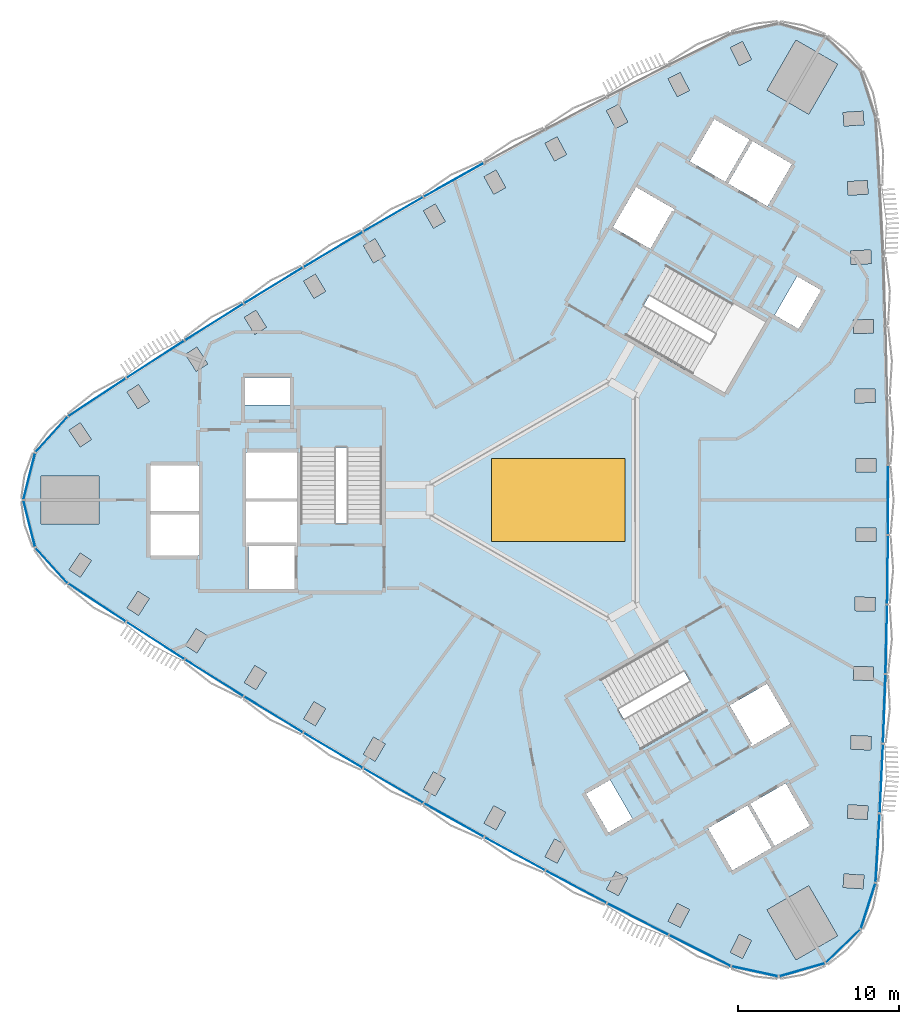
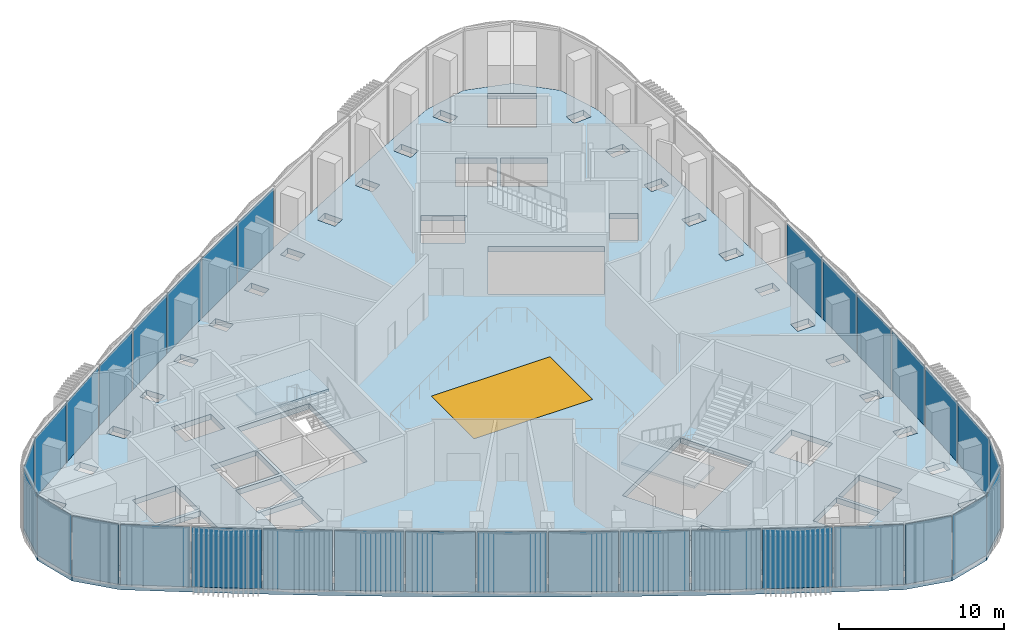
# One storey, part 6 of 17: 32 plates, 3 slabs, 1 window, 1 opening, 5 elements without a shape of their own.
"""IFC4 building model written with IfcOpenShell, lengths in metres."""

from ifc_helpers import new_model, si_unit, direction, frame, origin, origin_2d, place, context, subcontext, project, spatial, polyline, rectangle, outline, extrude, material, layer, layer_set, type_object, element, fill, aggregate, save


model = new_model("IFC4")

# Units and contexts
model_context = context("Model", 3, precision=1e-05, world=origin(), true_north=direction((0.0, 1.0)))
body_context = subcontext(model_context, "Body", "Model", "MODEL_VIEW")
ifc_project = project(units=[si_unit("LENGTHUNIT", "METRE"), si_unit("AREAUNIT", "SQUARE_METRE"), si_unit("VOLUMEUNIT", "CUBIC_METRE"), si_unit("PLANEANGLEUNIT", "RADIAN"), si_unit("MASSUNIT", "GRAM", prefix="KILO")], contexts=[model_context])

# Site, building, storey
site_placement = place(None, origin())
site = spatial("IfcSite", under=ifc_project, at=site_placement, CompositionType="ELEMENT")
building_placement = place(site_placement, origin())
building = spatial("IfcBuilding", under=site, at=building_placement, Name="Tamra Quay Hotel Tower", CompositionType="ELEMENT")
storey_placement = place(building_placement, frame((0.0, 0.0, 123.800048828125)))
storey = spatial("IfcBuildingStorey", under=building, at=storey_placement, Name="L30", CompositionType="ELEMENT", Elevation=123.800048828125)

# Stair, slab
ifc_material_1 = material(Name="Exit stair 2200 34 risers 147.1 going 299")
stair_type = type_object("IfcStairType", Name="Exit stair 2200 34 risers 147.1 going 299", PredefinedType="HALF_TURN_STAIR", material=ifc_material_1)
stair_1_placement = place(storey_placement, origin())
stair_1 = element("IfcStair", 1, at=stair_1_placement, inside=storey, type_object=stair_type, Name="L30 Exit stair ST3", PredefinedType="HALF_TURN_STAIR")
ifc_material_2 = material(Name="Concrete M70", Category="concrete")
ifc_layer_1 = layer(ifc_material_2, 0.175048828125)
ifc_layer_set_1 = layer_set([ifc_layer_1], Name="Concrete M70 stair landing 180")
slab_type_1 = type_object("IfcSlabType", Name="Concrete M70 stair landing 180", PredefinedType="LANDING", material=ifc_layer_set_1)
slab_1_placement = place(storey_placement, frame((0.0, 0.0, 2.324951171875)))
slab_1 = element("IfcSlab", 2, at=slab_1_placement, type_object=slab_type_1, Name="ST3 landing 1", PredefinedType="LANDING", context=body_context, shape_type="SweptSolid", body=[
    extrude(outline(polyline([(-10.932373046875, 3.283935546875), (-10.932373046875, 5.679931640625), (-16.09130859375, 5.679931640625), (-16.09130859375, 3.283935546875), (-10.932373046875, 3.283935546875)])), origin(), (0.0, 0.0, 1.0), 0.175048828125),
])
aggregate(stair_1, [slab_1])

stair_2_placement = place(storey_placement, origin())
stair_2 = element("IfcStair", 3, at=stair_2_placement, inside=storey, type_object=stair_type, Name="L30 Exit stair ST2", PredefinedType="HALF_TURN_STAIR")
slab_2_placement = place(storey_placement, frame((0.0, 0.0, 2.324951171875)))
slab_2 = element("IfcSlab", 4, at=slab_2_placement, type_object=slab_type_1, Name="ST2 landing 1", PredefinedType="LANDING", context=body_context, shape_type="SweptSolid", body=[
    extrude(outline(polyline([(2.622314453125, -11.109619140625), (0.547119140625, -12.3076171875), (3.126708984375, -16.775390625), (5.20166015625, -15.577392578125), (2.622314453125, -11.109619140625)])), origin(), (0.0, 0.0, 1.0), 0.175048828125),
])
aggregate(stair_2, [slab_2])

# Slab, opening, window
ifc_material_3 = material(Name="Concrete M60", Category="concrete")
ifc_layer_2 = layer(ifc_material_3, 0.39990234375)
ifc_layer_set_2 = layer_set([ifc_layer_2], Name="FLOOR SLAB PT 400")
slab_type_2 = type_object("IfcSlabType", Name="FLOOR SLAB PT 400", PredefinedType="FLOOR", material=ifc_layer_set_2)
slab_3_placement = place(storey_placement, frame((0.0, 0.0, -0.400146484375)))
slab_3 = element("IfcSlab", 5, at=slab_3_placement, inside=storey, type_object=slab_type_2, Name="SLAB-L30", PredefinedType="FLOOR", context=body_context, shape_type="SweptSolid", body=[
    extrude(outline(polyline([(20.027587890625, 19.51611328125), (20.234619140625, 15.182373046875), (20.39013671875, 10.845947265625), (20.493896484375, 6.5078125), (20.5458984375, 2.169677734375), (20.5458984375, -2.169677734375), (20.493896484375, -6.5078125), (20.39013671875, -10.845947265625), (20.234619140625, -15.182373046875), (20.027587890625, -19.51611328125), (19.768798828125, -23.84716796875), (18.839599609375, -26.73876953125), (16.656982421875, -28.85107421875), (13.73681640625, -29.684814453125), (10.767822265625, -29.043701171875), (6.8876953125, -27.102294921875), (3.031005859375, -25.114990234375), (-0.80224609375, -23.081298828125), (-4.61083984375, -21.002197265625), (-8.393798828125, -18.8779296875), (-12.15185546875, -16.708251953125), (-15.883056640625, -14.494384765625), (-19.587890625, -12.235595703125), (-23.265625, -9.9326171875), (-26.9150390625, -7.586181640625), (-30.53662109375, -5.196533203125), (-32.576171875, -2.9462890625), (-33.314208984375, 0.0), (-32.576171875, 2.9462890625), (-30.53662109375, 5.196533203125), (-26.9150390625, 7.586181640625), (-23.265625, 9.9326171875), (-19.587890625, 12.235595703125), (-15.883056640625, 14.494384765625), (-12.15185546875, 16.708251953125), (-8.393798828125, 18.8779296875), (-4.61083984375, 21.002197265625), (-0.80224609375, 23.081298828125), (3.031005859375, 25.114990234375), (6.8876953125, 27.102294921875), (10.767822265625, 29.043701171875), (13.73681640625, 29.684814453125), (16.656982421875, 28.85107421875), (18.839599609375, 26.73876953125), (19.768798828125, 23.84716796875), (20.027587890625, 19.51611328125)]), holes=[polyline([(-15.86083984375, -13.632568359375), (-15.13232421875, -14.0703125), (-14.48828125, -12.9990234375), (-15.216796875, -12.561279296875), (-15.86083984375, -13.632568359375)]), polyline([(-18.898193359375, -10.310791015625), (-19.55517578125, -11.3740234375), (-18.83203125, -11.82080078125), (-18.175048828125, -10.757568359375), (-18.898193359375, -10.310791015625)]), polyline([(-22.55224609375, -8.016357421875), (-23.222412109375, -9.071533203125), (-22.5048828125, -9.527099609375), (-21.834716796875, -8.471923828125), (-22.55224609375, -8.016357421875)]), polyline([(-26.179931640625, -5.678466796875), (-26.862060546875, -6.725830078125), (-26.149658203125, -7.189697265625), (-25.467529296875, -6.142333984375), (-26.179931640625, -5.678466796875)]), polyline([(-16.3173828125, -2.85498046875), (-19.4072265625, -2.85498046875), (-19.4072265625, -2.89306640625), (-19.307373046875, -2.89306640625), (-19.307373046875, -5.544921875), (-16.417236328125, -5.544921875), (-16.417236328125, -2.89306640625), (-16.3173828125, -2.89306640625), (-16.3173828125, -2.85498046875)]), polyline([(-29.77880859375, -3.297607421875), (-30.473388671875, -4.3369140625), (-29.7666015625, -4.80908203125), (-29.072021484375, -3.77001953125), (-29.77880859375, -3.297607421875)]), polyline([(-22.3671875, -3.445068359375), (-22.3671875, -0.905029296875), (-25.4072265625, -0.905029296875), (-25.4072265625, -3.445068359375), (-22.3671875, -3.445068359375)]), polyline([(-19.417236328125, -2.64501953125), (-16.307373046875, -2.64501953125), (-16.307373046875, -2.89306640625), (-16.26708984375, -2.89306640625), (-16.26708984375, -0.10498046875), (-19.45751953125, -0.10498046875), (-19.45751953125, -2.89306640625), (-19.417236328125, -2.89306640625), (-19.417236328125, -2.64501953125)]), polyline([(-28.6142578125, 1.5), (-32.214111328125, 1.5), (-32.214111328125, -1.5), (-28.6142578125, -1.5), (-28.6142578125, 1.5)]), polyline([(-25.4072265625, -0.695068359375), (-22.3671875, -0.695068359375), (-22.3671875, 2.14501953125), (-25.4072265625, 2.14501953125), (-25.4072265625, -0.695068359375)]), polyline([(-19.45751953125, 0.10498046875), (-16.26708984375, 0.10498046875), (-16.26708984375, 2.945068359375), (-19.45751953125, 2.945068359375), (-19.45751953125, 0.10498046875)]), polyline([(-16.036376953125, -1.455078125), (-10.9873046875, -1.455078125), (-10.9873046875, 5.625), (-16.036376953125, 5.625), (-16.036376953125, -1.455078125)]), polyline([(-29.072021484375, 3.77001953125), (-29.7666015625, 4.80908203125), (-30.473388671875, 4.3369140625), (-29.77880859375, 3.297607421875), (-29.072021484375, 3.77001953125)]), polyline([(-25.467529296875, 6.142333984375), (-26.149658203125, 7.189697265625), (-26.862060546875, 6.725830078125), (-26.179931640625, 5.678466796875), (-25.467529296875, 6.142333984375)]), polyline([(-19.50732421875, 7.64501953125), (-19.50732421875, 5.9150390625), (-16.71728515625, 5.9150390625), (-16.71728515625, 7.64501953125), (-19.50732421875, 7.64501953125)]), polyline([(-21.834716796875, 8.471923828125), (-22.5048828125, 9.527099609375), (-23.222412109375, 9.071533203125), (-22.55224609375, 8.016357421875), (-21.834716796875, 8.471923828125)]), polyline([(-18.175048828125, 10.757568359375), (-18.83203125, 11.82080078125), (-19.55517578125, 11.3740234375), (-18.898193359375, 10.310791015625), (-18.175048828125, 10.757568359375)]), polyline([(-14.48828125, 12.9990234375), (-15.13232421875, 14.0703125), (-15.86083984375, 13.632568359375), (-15.216796875, 12.561279296875), (-14.48828125, 12.9990234375)]), polyline([(-10.7744140625, 15.197265625), (-11.406005859375, 16.27587890625), (-12.1396484375, 15.846435546875), (-11.5078125, 14.767578125), (-10.7744140625, 15.197265625)]), polyline([(11.271240234375, -27.06201171875), (10.718505859375, -28.18310546875), (11.480712890625, -28.55908203125), (12.03369140625, -27.43798828125), (11.271240234375, -27.06201171875)]), polyline([(7.414306640625, -25.126708984375), (6.848388671875, -26.2412109375), (7.606201171875, -26.626220703125), (8.17236328125, -25.51171875), (7.414306640625, -25.126708984375)]), polyline([(3.00146484375, -24.25341796875), (3.7548828125, -24.64697265625), (4.333740234375, -23.5390625), (3.580322265625, -23.1455078125), (3.00146484375, -24.25341796875)]), polyline([(-0.228759765625, -21.118896484375), (-0.821044921875, -22.219482421875), (-0.072509765625, -22.622314453125), (0.519775390625, -21.521484375), (-0.228759765625, -21.118896484375)]), polyline([(13.3056640625, -21.65576171875), (11.78564453125, -19.02294921875), (9.325927734375, -20.443115234375), (10.845947265625, -23.075927734375), (13.3056640625, -21.65576171875)]), polyline([(-4.01318359375, -19.046875), (-4.619140625, -20.14013671875), (-3.875732421875, -20.55224609375), (-3.269775390625, -19.458740234375), (-4.01318359375, -19.046875)]), polyline([(1.73779296875, -18.300048828125), (3.1328125, -20.71630859375), (4.631103515625, -19.851318359375), (3.236083984375, -17.43505859375), (1.73779296875, -18.300048828125)]), polyline([(-7.77392578125, -16.9296875), (-8.392333984375, -18.01611328125), (-7.653564453125, -18.436279296875), (-7.035400390625, -17.35009765625), (-7.77392578125, -16.9296875)]), polyline([(-11.5078125, -14.767578125), (-12.1396484375, -15.846435546875), (-11.406005859375, -16.27587890625), (-10.7744140625, -15.197265625), (-11.5078125, -14.767578125)]), polyline([(6.75390625, -8.78759765625), (0.622314453125, -12.32763671875), (3.146728515625, -16.7001953125), (9.2783203125, -13.160400390625), (6.75390625, -8.78759765625)]), polyline([(6.758056640625, 14.615478515625), (4.2333984375, 10.242919921875), (10.364990234375, 6.702880859375), (12.889404296875, 11.075439453125), (6.758056640625, 14.615478515625)]), polyline([(5.736083984375, 15.645263671875), (7.111083984375, 18.02685546875), (7.19775390625, 17.976806640625), (7.267578125, 18.09814453125), (4.8515625, 19.4931640625), (3.406494140625, 16.990234375), (5.736083984375, 15.645263671875)]), polyline([(-7.035400390625, 17.35009765625), (-7.653564453125, 18.436279296875), (-8.392333984375, 18.01611328125), (-7.77392578125, 16.9296875), (-7.035400390625, 17.35009765625)]), polyline([(-3.269775390625, 19.458740234375), (-3.875732421875, 20.55224609375), (-4.619140625, 20.14013671875), (-4.01318359375, 19.046875), (-3.269775390625, 19.458740234375)]), polyline([(8.2001953125, 21.093017578125), (10.39990234375, 19.822998046875), (11.919921875, 22.455810546875), (9.72021484375, 23.725830078125), (8.2001953125, 21.093017578125)]), polyline([(0.519775390625, 21.521484375), (-0.072509765625, 22.622314453125), (-0.821044921875, 22.219482421875), (-0.228759765625, 21.118896484375), (0.519775390625, 21.521484375)]), polyline([(3.7548828125, 24.64697265625), (3.00146484375, 24.25341796875), (3.580322265625, 23.1455078125), (4.333740234375, 23.5390625), (3.7548828125, 24.64697265625)]), polyline([(8.17236328125, 25.51171875), (7.606201171875, 26.626220703125), (6.848388671875, 26.2412109375), (7.414306640625, 25.126708984375), (8.17236328125, 25.51171875)]), polyline([(12.03369140625, 27.43798828125), (11.480712890625, 28.55908203125), (10.718505859375, 28.18310546875), (11.271240234375, 27.06201171875), (12.03369140625, 27.43798828125)]), polyline([(13.008056640625, -25.53076171875), (14.80810546875, -28.648193359375), (17.406005859375, -27.148193359375), (15.606201171875, -24.03076171875), (13.008056640625, -25.53076171875)]), polyline([(17.7451171875, -24.140380859375), (18.99267578125, -24.22216796875), (19.048095703125, -23.3740234375), (17.80078125, -23.292236328125), (17.7451171875, -24.140380859375)]), polyline([(14.1669921875, -17.648193359375), (11.96728515625, -18.91796875), (13.487548828125, -21.55078125), (15.68701171875, -20.281005859375), (14.1669921875, -17.648193359375)]), polyline([(18.007568359375, -19.833251953125), (19.255859375, -19.900146484375), (19.301513671875, -19.051513671875), (18.05322265625, -18.984375), (18.007568359375, -19.833251953125)]), polyline([(19.46728515625, -15.5751953125), (19.50341796875, -14.72607421875), (18.25439453125, -14.67333984375), (18.218505859375, -15.5224609375), (19.46728515625, -15.5751953125)]), polyline([(10.68115234375, -12.790283203125), (12.05615234375, -15.171875), (11.969482421875, -15.2216796875), (12.03955078125, -15.343017578125), (14.455810546875, -13.947998046875), (13.0107421875, -11.4453125), (10.68115234375, -12.790283203125)]), polyline([(18.37841796875, -11.2109375), (19.627685546875, -11.248291015625), (19.6533203125, -10.398681640625), (18.40380859375, -10.361328125), (18.37841796875, -11.2109375)]), polyline([(18.48681640625, -6.897705078125), (19.736572265625, -6.919677734375), (19.75146484375, -6.06982421875), (18.501708984375, -6.0478515625), (18.48681640625, -6.897705078125)]), polyline([(18.543212890625, -2.582275390625), (19.793212890625, -2.590087890625), (19.79833984375, -1.739990234375), (18.54833984375, -1.732421875), (18.543212890625, -2.582275390625)]), polyline([(18.54833984375, 1.732421875), (19.79833984375, 1.739990234375), (19.793212890625, 2.590087890625), (18.543212890625, 2.582275390625), (18.54833984375, 1.732421875)]), polyline([(18.501708984375, 6.0478515625), (19.75146484375, 6.06982421875), (19.736572265625, 6.919677734375), (18.48681640625, 6.897705078125), (18.501708984375, 6.0478515625)]), polyline([(19.6533203125, 10.398681640625), (19.627685546875, 11.248291015625), (18.37841796875, 11.2109375), (18.40380859375, 10.361328125), (19.6533203125, 10.398681640625)]), polyline([(14.9794921875, 10.655029296875), (16.37451171875, 13.0712890625), (14.876220703125, 13.936279296875), (13.481201171875, 11.52001953125), (14.9794921875, 10.655029296875)]), polyline([(18.25439453125, 14.67333984375), (19.50341796875, 14.72607421875), (19.46728515625, 15.5751953125), (18.218505859375, 15.5224609375), (18.25439453125, 14.67333984375)]), polyline([(18.05322265625, 18.984375), (19.301513671875, 19.051513671875), (19.255859375, 19.900146484375), (18.007568359375, 19.833251953125), (18.05322265625, 18.984375)]), polyline([(12.101806640625, 22.350830078125), (10.58154296875, 19.718017578125), (13.041259765625, 18.298095703125), (14.561279296875, 20.930908203125), (12.101806640625, 22.350830078125)]), polyline([(17.80078125, 23.292236328125), (19.048095703125, 23.3740234375), (18.99267578125, 24.22216796875), (17.7451171875, 24.140380859375), (17.80078125, 23.292236328125)]), polyline([(15.606201171875, 24.03076171875), (17.406005859375, 27.148193359375), (14.80810546875, 28.648193359375), (13.008056640625, 25.53076171875), (15.606201171875, 24.03076171875)])]), origin(), (0.0, 0.0, 1.0), 0.400146484375),
])
opening_placement = place(slab_3_placement, origin())
opening = element("IfcOpeningElement", 6, at=opening_placement, cuts=slab_3, Name="Opening SK1-8340", PredefinedType="OPENING", context=body_context, shape_type="SweptSolid", body=[
    extrude(rectangle(XDim=8.340087890625, YDim=5.199951171875, at=origin_2d()), origin(), (0.0, 0.0, 1.0), 0.400146484375),
])
ifc_material_4 = material(Name="Fire-rated laminated glass in steel frame", Category="steel")
window_type = type_object("IfcWindowType", Name="ATRIUM SKYLIGHT 8340X5200", PartitioningType="SINGLE_PANEL", PredefinedType="SKYLIGHT", material=ifc_material_4)
window_placement = place(opening_placement, frame((0.0, 0.0, 0.35009765625)))
window = element("IfcWindow", 7, at=window_placement, inside=storey, type_object=window_type, Name="SK1-8340", OverallHeight=5.199951171875, OverallWidth=8.340087890625, PartitioningType="SINGLE_PANEL", PredefinedType="SKYLIGHT", context=body_context, shape_type="SweptSolid", body=[
    extrude(rectangle(XDim=8.340087890625, YDim=5.199951171875, at=origin_2d()), origin(), (0.0, 0.0, 1.0), 0.050048828125),
])
fill(opening, window)

# Curtain wall, plates
ifc_material_5 = material(Name="Aluminium 6063 anodised dark grey", Category="aluminium")
curtain_wall_type_1 = type_object("IfcCurtainWallType", Name="CW1 CURTAIN WALL", PredefinedType="NOTDEFINED", material=ifc_material_5)
curtain_wall_1_placement = place(storey_placement, origin())
curtain_wall_1 = element("IfcCurtainWall", 8, at=curtain_wall_1_placement, inside=storey, type_object=curtain_wall_type_1, Name="CW1 east face L30", PredefinedType="NOTDEFINED")
ifc_material_6 = material(Name="Glass clear laminated low-iron", Category="glass")
ifc_layer_3 = layer(ifc_material_6, 0.031982421875)
ifc_layer_set_3 = layer_set([ifc_layer_3], Name="GLASS PANEL CW1 Z3")
plate_type_1 = type_object("IfcPlateType", Name="GLASS PANEL CW1 Z3", PredefinedType="CURTAIN_PANEL", material=ifc_layer_set_3)
plate_1_placement = place(storey_placement, frame((19.898193359375, -21.681640625, 0.0), z_axis=(0.0, 0.0, 1.0), x_axis=(0.059642012577, 0.998219830666, 0.0)))
plate_1 = element("IfcPlate", 9, at=plate_1_placement, type_object=plate_type_1, Name="CW1 glass L30.E.1", PredefinedType="CURTAIN_PANEL", context=body_context, shape_type="SweptSolid", body=[
    extrude(rectangle(XDim=4.239013671875, YDim=0.031982421875, at=origin_2d()), origin(), (0.0, 0.0, 1.0), 4.4599609375),
])
plate_2_placement = place(storey_placement, frame((20.131103515625, -17.34912109375, 0.0), z_axis=(0.0, 0.0, 1.0), x_axis=(0.047746993886, 0.998859461874, 0.0)))
plate_2 = element("IfcPlate", 10, at=plate_2_placement, type_object=plate_type_1, Name="CW1 glass L30.E.2", PredefinedType="CURTAIN_PANEL", context=body_context, shape_type="SweptSolid", body=[
    extrude(rectangle(XDim=4.238525390625, YDim=0.031982421875, at=origin_2d()), origin(), (0.0, 0.0, 1.0), 4.4599609375),
])
plate_3_placement = place(storey_placement, frame((20.3125, -13.01416015625, 0.0), z_axis=(0.0, 0.0, 1.0), x_axis=(0.035844773182, 0.999357369631, 0.0)))
plate_3 = element("IfcPlate", 11, at=plate_3_placement, type_object=plate_type_1, Name="CW1 glass L30.E.3", PredefinedType="CURTAIN_PANEL", context=body_context, shape_type="SweptSolid", body=[
    extrude(rectangle(XDim=4.2392578125, YDim=0.031982421875, at=origin_2d()), origin(), (0.0, 0.0, 1.0), 4.4599609375),
])
plate_4_placement = place(storey_placement, frame((20.442138671875, -8.677001953125, 0.0), z_axis=(0.0, 0.0, 1.0), x_axis=(0.02389629492, 0.999714442773, 0.0)))
plate_4 = element("IfcPlate", 12, at=plate_4_placement, type_object=plate_type_1, Name="CW1 glass L30.E.4", PredefinedType="CURTAIN_PANEL", context=body_context, shape_type="SweptSolid", body=[
    extrude(rectangle(XDim=4.2392578125, YDim=0.031982421875, at=origin_2d()), origin(), (0.0, 0.0, 1.0), 4.4599609375),
])
plate_5_placement = place(storey_placement, frame((20.519775390625, -4.3388671875, 0.0), z_axis=(0.0, 0.0, 1.0), x_axis=(0.011957083314, 0.999928511524, 0.0)))
plate_5 = element("IfcPlate", 13, at=plate_5_placement, type_object=plate_type_1, Name="CW1 glass L30.E.5", PredefinedType="CURTAIN_PANEL", context=body_context, shape_type="SweptSolid", body=[
    extrude(rectangle(XDim=4.238525390625, YDim=0.031982421875, at=origin_2d()), origin(), (0.0, 0.0, 1.0), 4.4599609375),
])
plate_6_placement = place(storey_placement, frame((20.545654296875, 0.0, 0.0), z_axis=(0.0, 0.0, 1.0), x_axis=(0.0, 1.0, 0.0)))
plate_6 = element("IfcPlate", 14, at=plate_6_placement, type_object=plate_type_1, Name="CW1 glass L30.E.6", PredefinedType="CURTAIN_PANEL", context=body_context, shape_type="SweptSolid", body=[
    extrude(rectangle(XDim=4.2392578125, YDim=0.031982421875, at=origin_2d()), origin(), (0.0, 0.0, 1.0), 4.4599609375),
])
aggregate(curtain_wall_1, [plate_1, plate_2, plate_3, plate_4, plate_5, plate_6])

curtain_wall_type_2 = type_object("IfcCurtainWallType", Name="CW2 CURTAIN WALL", PredefinedType="NOTDEFINED", material=ifc_material_5)
curtain_wall_2_placement = place(storey_placement, origin())
curtain_wall_2 = element("IfcCurtainWall", 15, at=curtain_wall_2_placement, inside=storey, type_object=curtain_wall_type_2, Name="CW2 north-west face L30", PredefinedType="NOTDEFINED")
ifc_layer_4 = layer(ifc_material_6, 0.031982421875)
ifc_layer_set_4 = layer_set([ifc_layer_4], Name="GLASS PANEL CW2 Z3")
plate_type_2 = type_object("IfcPlateType", Name="GLASS PANEL CW2 Z3", PredefinedType="CURTAIN_PANEL", material=ifc_layer_set_4)
plate_7_placement = place(storey_placement, frame((-6.50244140625, 19.940185546875, 0.0), z_axis=(0.0, 0.0, 1.0), x_axis=(-0.871942034605, -0.489609117857, 0.0)))
plate_7 = element("IfcPlate", 16, at=plate_7_placement, type_object=plate_type_2, Name="CW2 glass L30.NW.5", PredefinedType="CURTAIN_PANEL", context=body_context, shape_type="SweptSolid", body=[
    extrude(rectangle(XDim=4.238525390625, YDim=0.031982421875, at=origin_2d()), origin(), (0.0, 0.0, 1.0), 4.4599609375),
])
plate_8_placement = place(storey_placement, frame((-10.27294921875, 17.793212890625, 0.0), z_axis=(0.0, 0.0, 1.0), x_axis=(-0.866025403784, -0.5, 0.0)))
plate_8 = element("IfcPlate", 17, at=plate_8_placement, type_object=plate_type_2, Name="CW2 glass L30.NW.6", PredefinedType="CURTAIN_PANEL", context=body_context, shape_type="SweptSolid", body=[
    extrude(rectangle(XDim=4.2392578125, YDim=0.031982421875, at=origin_2d()), origin(), (0.0, 0.0, 1.0), 4.4599609375),
])
plate_9_placement = place(storey_placement, frame((-14.017333984375, 15.601318359375, 0.0), z_axis=(0.0, 0.0, 1.0), x_axis=(-0.859984951291, -0.510319393667, 0.0)))
plate_9 = element("IfcPlate", 18, at=plate_9_placement, type_object=plate_type_2, Name="CW2 glass L30.NW.7", PredefinedType="CURTAIN_PANEL", context=body_context, shape_type="SweptSolid", body=[
    extrude(rectangle(XDim=4.238525390625, YDim=0.031982421875, at=origin_2d()), origin(), (0.0, 0.0, 1.0), 4.4599609375),
])
plate_10_placement = place(storey_placement, frame((-17.7353515625, 13.36474609375, 0.0), z_axis=(0.0, 0.0, 1.0), x_axis=(-0.853829956512, -0.520552019843, 0.0)))
plate_10 = element("IfcPlate", 19, at=plate_10_placement, type_object=plate_type_2, Name="CW2 glass L30.NW.8", PredefinedType="CURTAIN_PANEL", context=body_context, shape_type="SweptSolid", body=[
    extrude(rectangle(XDim=4.2392578125, YDim=0.031982421875, at=origin_2d()), origin(), (0.0, 0.0, 1.0), 4.4599609375),
])
plate_11_placement = place(storey_placement, frame((-21.4267578125, 11.083984375, 0.0), z_axis=(0.0, 0.0, 1.0), x_axis=(-0.847546482968, -0.530721168984, 0.0)))
plate_11 = element("IfcPlate", 20, at=plate_11_placement, type_object=plate_type_2, Name="CW2 glass L30.NW.9", PredefinedType="CURTAIN_PANEL", context=body_context, shape_type="SweptSolid", body=[
    extrude(rectangle(XDim=4.2392578125, YDim=0.031982421875, at=origin_2d()), origin(), (0.0, 0.0, 1.0), 4.4599609375),
])
plate_12_placement = place(storey_placement, frame((-25.09033203125, 8.759521484375, 0.0), z_axis=(0.0, 0.0, 1.0), x_axis=(-0.84116417185, -0.540779840596, 0.0)))
plate_12 = element("IfcPlate", 21, at=plate_12_placement, type_object=plate_type_2, Name="CW2 glass L30.NW.10", PredefinedType="CURTAIN_PANEL", context=body_context, shape_type="SweptSolid", body=[
    extrude(rectangle(XDim=4.238525390625, YDim=0.031982421875, at=origin_2d()), origin(), (0.0, 0.0, 1.0), 4.4599609375),
])
plate_13_placement = place(storey_placement, frame((-28.725830078125, 6.391357421875, 0.0), z_axis=(0.0, 0.0, 1.0), x_axis=(-0.83466272563, -0.550761413358, 0.0)))
plate_13 = element("IfcPlate", 22, at=plate_13_placement, type_object=plate_type_2, Name="CW2 glass L30.NW.11", PredefinedType="CURTAIN_PANEL", context=body_context, shape_type="SweptSolid", body=[
    extrude(rectangle(XDim=4.239013671875, YDim=0.031982421875, at=origin_2d()), origin(), (0.0, 0.0, 1.0), 4.4599609375),
])
plate_14_placement = place(storey_placement, frame((-31.556396484375, 4.0712890625, 0.0), z_axis=(0.0, 0.0, 1.0), x_axis=(-0.671549804177, -0.740959418936, 0.0)))
plate_14 = element("IfcPlate", 23, at=plate_14_placement, type_object=plate_type_2, Name="CW2 glass L30.NW.12", PredefinedType="CURTAIN_PANEL", context=body_context, shape_type="SweptSolid", body=[
    extrude(rectangle(XDim=2.937255859375, YDim=0.031982421875, at=origin_2d()), origin(), (0.0, 0.0, 1.0), 4.4599609375),
])
plate_15_placement = place(storey_placement, frame((-32.9453125, 1.47314453125, 0.0), z_axis=(0.0, 0.0, 1.0), x_axis=(-0.242976186667, -0.970032253439, 0.0)))
plate_15 = element("IfcPlate", 24, at=plate_15_placement, type_object=plate_type_2, Name="CW2 glass L30.NW.13", PredefinedType="CURTAIN_PANEL", context=body_context, shape_type="SweptSolid", body=[
    extrude(rectangle(XDim=2.937255859375, YDim=0.031982421875, at=origin_2d()), origin(), (0.0, 0.0, 1.0), 4.4599609375),
])
plate_16_placement = place(storey_placement, frame((-32.9453125, -1.47314453125, 0.0), z_axis=(0.0, 0.0, 1.0), x_axis=(0.242976186667, -0.970032253439, 0.0)))
plate_16 = element("IfcPlate", 25, at=plate_16_placement, type_object=plate_type_2, Name="CW2 glass L30.NW.14", PredefinedType="CURTAIN_PANEL", context=body_context, shape_type="SweptSolid", body=[
    extrude(rectangle(XDim=2.937255859375, YDim=0.031982421875, at=origin_2d()), origin(), (0.0, 0.0, 1.0), 4.4599609375),
])
plate_17_placement = place(storey_placement, frame((-31.556396484375, -4.0712890625, 0.0), z_axis=(0.0, 0.0, 1.0), x_axis=(0.671549804177, -0.740959418936, 0.0)))
plate_17 = element("IfcPlate", 26, at=plate_17_placement, type_object=plate_type_2, Name="CW2 glass L30.NW.15", PredefinedType="CURTAIN_PANEL", context=body_context, shape_type="SweptSolid", body=[
    extrude(rectangle(XDim=2.937255859375, YDim=0.031982421875, at=origin_2d()), origin(), (0.0, 0.0, 1.0), 4.4599609375),
])
aggregate(curtain_wall_2, [plate_7, plate_8, plate_9, plate_10, plate_11, plate_12, plate_13, plate_14, plate_15, plate_16, plate_17])

curtain_wall_type_3 = type_object("IfcCurtainWallType", Name="CW3 CURTAIN WALL", PredefinedType="NOTDEFINED", material=ifc_material_5)
curtain_wall_3_placement = place(storey_placement, origin())
curtain_wall_3 = element("IfcCurtainWall", 27, at=curtain_wall_3_placement, inside=storey, type_object=curtain_wall_type_3, Name="CW3 south-west face L30", PredefinedType="NOTDEFINED")
ifc_layer_5 = layer(ifc_material_6, 0.031982421875)
ifc_layer_set_5 = layer_set([ifc_layer_5], Name="GLASS PANEL CW3 Z3")
plate_type_3 = type_object("IfcPlateType", Name="GLASS PANEL CW3 Z3", PredefinedType="CURTAIN_PANEL", material=ifc_layer_set_5)
plate_18_placement = place(storey_placement, frame((-28.725830078125, -6.391357421875, 0.0), z_axis=(0.0, 0.0, 1.0), x_axis=(0.83466272563, -0.550761413358, 0.0)))
plate_18 = element("IfcPlate", 28, at=plate_18_placement, type_object=plate_type_3, Name="CW3 glass L30.SW.1", PredefinedType="CURTAIN_PANEL", context=body_context, shape_type="SweptSolid", body=[
    extrude(rectangle(XDim=4.239013671875, YDim=0.031982421875, at=origin_2d()), origin(), (0.0, 0.0, 1.0), 4.4599609375),
])
plate_19_placement = place(storey_placement, frame((-25.09033203125, -8.759521484375, 0.0), z_axis=(0.0, 0.0, 1.0), x_axis=(0.84116417185, -0.540779840596, 0.0)))
plate_19 = element("IfcPlate", 29, at=plate_19_placement, type_object=plate_type_3, Name="CW3 glass L30.SW.2", PredefinedType="CURTAIN_PANEL", context=body_context, shape_type="SweptSolid", body=[
    extrude(rectangle(XDim=4.238525390625, YDim=0.031982421875, at=origin_2d()), origin(), (0.0, 0.0, 1.0), 4.4599609375),
])
plate_20_placement = place(storey_placement, frame((-21.4267578125, -11.083984375, 0.0), z_axis=(0.0, 0.0, 1.0), x_axis=(0.847546482968, -0.530721168984, 0.0)))
plate_20 = element("IfcPlate", 30, at=plate_20_placement, type_object=plate_type_3, Name="CW3 glass L30.SW.3", PredefinedType="CURTAIN_PANEL", context=body_context, shape_type="SweptSolid", body=[
    extrude(rectangle(XDim=4.2392578125, YDim=0.031982421875, at=origin_2d()), origin(), (0.0, 0.0, 1.0), 4.4599609375),
])
plate_21_placement = place(storey_placement, frame((-17.7353515625, -13.36474609375, 0.0), z_axis=(0.0, 0.0, 1.0), x_axis=(0.853829956512, -0.520552019843, 0.0)))
plate_21 = element("IfcPlate", 31, at=plate_21_placement, type_object=plate_type_3, Name="CW3 glass L30.SW.4", PredefinedType="CURTAIN_PANEL", context=body_context, shape_type="SweptSolid", body=[
    extrude(rectangle(XDim=4.2392578125, YDim=0.031982421875, at=origin_2d()), origin(), (0.0, 0.0, 1.0), 4.4599609375),
])
plate_22_placement = place(storey_placement, frame((-14.017333984375, -15.601318359375, 0.0), z_axis=(0.0, 0.0, 1.0), x_axis=(0.859984951291, -0.510319393667, 0.0)))
plate_22 = element("IfcPlate", 32, at=plate_22_placement, type_object=plate_type_3, Name="CW3 glass L30.SW.5", PredefinedType="CURTAIN_PANEL", context=body_context, shape_type="SweptSolid", body=[
    extrude(rectangle(XDim=4.238525390625, YDim=0.031982421875, at=origin_2d()), origin(), (0.0, 0.0, 1.0), 4.4599609375),
])
plate_23_placement = place(storey_placement, frame((-10.27294921875, -17.793212890625, 0.0), z_axis=(0.0, 0.0, 1.0), x_axis=(0.866025403784, -0.5, 0.0)))
plate_23 = element("IfcPlate", 33, at=plate_23_placement, type_object=plate_type_3, Name="CW3 glass L30.SW.6", PredefinedType="CURTAIN_PANEL", context=body_context, shape_type="SweptSolid", body=[
    extrude(rectangle(XDim=4.2392578125, YDim=0.031982421875, at=origin_2d()), origin(), (0.0, 0.0, 1.0), 4.4599609375),
])
plate_24_placement = place(storey_placement, frame((-6.50244140625, -19.940185546875, 0.0), z_axis=(0.0, 0.0, 1.0), x_axis=(0.871942034605, -0.489609117857, 0.0)))
plate_24 = element("IfcPlate", 34, at=plate_24_placement, type_object=plate_type_3, Name="CW3 glass L30.SW.7", PredefinedType="CURTAIN_PANEL", context=body_context, shape_type="SweptSolid", body=[
    extrude(rectangle(XDim=4.238525390625, YDim=0.031982421875, at=origin_2d()), origin(), (0.0, 0.0, 1.0), 4.4599609375),
])
plate_25_placement = place(storey_placement, frame((-2.70654296875, -22.041748046875, 0.0), z_axis=(0.0, 0.0, 1.0), x_axis=(0.877726251432, -0.47916242293, 0.0)))
plate_25 = element("IfcPlate", 35, at=plate_25_placement, type_object=plate_type_3, Name="CW3 glass L30.SW.8", PredefinedType="CURTAIN_PANEL", context=body_context, shape_type="SweptSolid", body=[
    extrude(rectangle(XDim=4.2392578125, YDim=0.031982421875, at=origin_2d()), origin(), (0.0, 0.0, 1.0), 4.4599609375),
])
plate_26_placement = place(storey_placement, frame((1.1142578125, -24.09814453125, 0.0), z_axis=(0.0, 0.0, 1.0), x_axis=(0.883391256151, -0.468636200647, 0.0)))
plate_26 = element("IfcPlate", 36, at=plate_26_placement, type_object=plate_type_3, Name="CW3 glass L30.SW.9", PredefinedType="CURTAIN_PANEL", context=body_context, shape_type="SweptSolid", body=[
    extrude(rectangle(XDim=4.2392578125, YDim=0.031982421875, at=origin_2d()), origin(), (0.0, 0.0, 1.0), 4.4599609375),
])
plate_27_placement = place(storey_placement, frame((4.959228515625, -26.108642578125, 0.0), z_axis=(0.0, 0.0, 1.0), x_axis=(0.888911165736, -0.458079621277, 0.0)))
plate_27 = element("IfcPlate", 37, at=plate_27_placement, type_object=plate_type_3, Name="CW3 glass L30.SW.10", PredefinedType="CURTAIN_PANEL", context=body_context, shape_type="SweptSolid", body=[
    extrude(rectangle(XDim=4.238525390625, YDim=0.031982421875, at=origin_2d()), origin(), (0.0, 0.0, 1.0), 4.4599609375),
])
plate_28_placement = place(storey_placement, frame((8.82763671875, -28.072998046875, 0.0), z_axis=(0.0, 0.0, 1.0), x_axis=(0.894304738207, -0.447458417309, 0.0)))
plate_28 = element("IfcPlate", 38, at=plate_28_placement, type_object=plate_type_3, Name="CW3 glass L30.SW.11", PredefinedType="CURTAIN_PANEL", context=body_context, shape_type="SweptSolid", body=[
    extrude(rectangle(XDim=4.239013671875, YDim=0.031982421875, at=origin_2d()), origin(), (0.0, 0.0, 1.0), 4.4599609375),
])
plate_29_placement = place(storey_placement, frame((12.252197265625, -29.3642578125, 0.0), z_axis=(0.0, 0.0, 1.0), x_axis=(0.97746458206, -0.211099480856, 0.0)))
plate_29 = element("IfcPlate", 39, at=plate_29_placement, type_object=plate_type_3, Name="CW3 glass L30.SW.12", PredefinedType="CURTAIN_PANEL", context=body_context, shape_type="SweptSolid", body=[
    extrude(rectangle(XDim=2.937255859375, YDim=0.031982421875, at=origin_2d()), origin(), (0.0, 0.0, 1.0), 4.4599609375),
])
plate_30_placement = place(storey_placement, frame((15.19677734375, -29.26806640625, 0.0), z_axis=(0.0, 0.0, 1.0), x_axis=(0.961560667302, 0.274592576551, 0.0)))
plate_30 = element("IfcPlate", 40, at=plate_30_placement, type_object=plate_type_3, Name="CW3 glass L30.SW.13", PredefinedType="CURTAIN_PANEL", context=body_context, shape_type="SweptSolid", body=[
    extrude(rectangle(XDim=2.937255859375, YDim=0.031982421875, at=origin_2d()), origin(), (0.0, 0.0, 1.0), 4.4599609375),
])
plate_31_placement = place(storey_placement, frame((17.748291015625, -27.794921875, 0.0), z_axis=(0.0, 0.0, 1.0), x_axis=(0.718584480635, 0.695439676888, 0.0)))
plate_31 = element("IfcPlate", 41, at=plate_31_placement, type_object=plate_type_3, Name="CW3 glass L30.SW.14", PredefinedType="CURTAIN_PANEL", context=body_context, shape_type="SweptSolid", body=[
    extrude(rectangle(XDim=2.937255859375, YDim=0.031982421875, at=origin_2d()), origin(), (0.0, 0.0, 1.0), 4.4599609375),
])
plate_32_placement = place(storey_placement, frame((19.30419921875, -25.29296875, 0.0), z_axis=(0.0, 0.0, 1.0), x_axis=(0.305914777883, 0.952058899792, 0.0)))
plate_32 = element("IfcPlate", 42, at=plate_32_placement, type_object=plate_type_3, Name="CW3 glass L30.SW.15", PredefinedType="CURTAIN_PANEL", context=body_context, shape_type="SweptSolid", body=[
    extrude(rectangle(XDim=2.937255859375, YDim=0.031982421875, at=origin_2d()), origin(), (0.0, 0.0, 1.0), 4.4599609375),
])
aggregate(curtain_wall_3, [plate_18, plate_19, plate_20, plate_21, plate_22, plate_23, plate_24, plate_25, plate_26, plate_27, plate_28, plate_29, plate_30, plate_31, plate_32])

save(model, "model.ifc")
